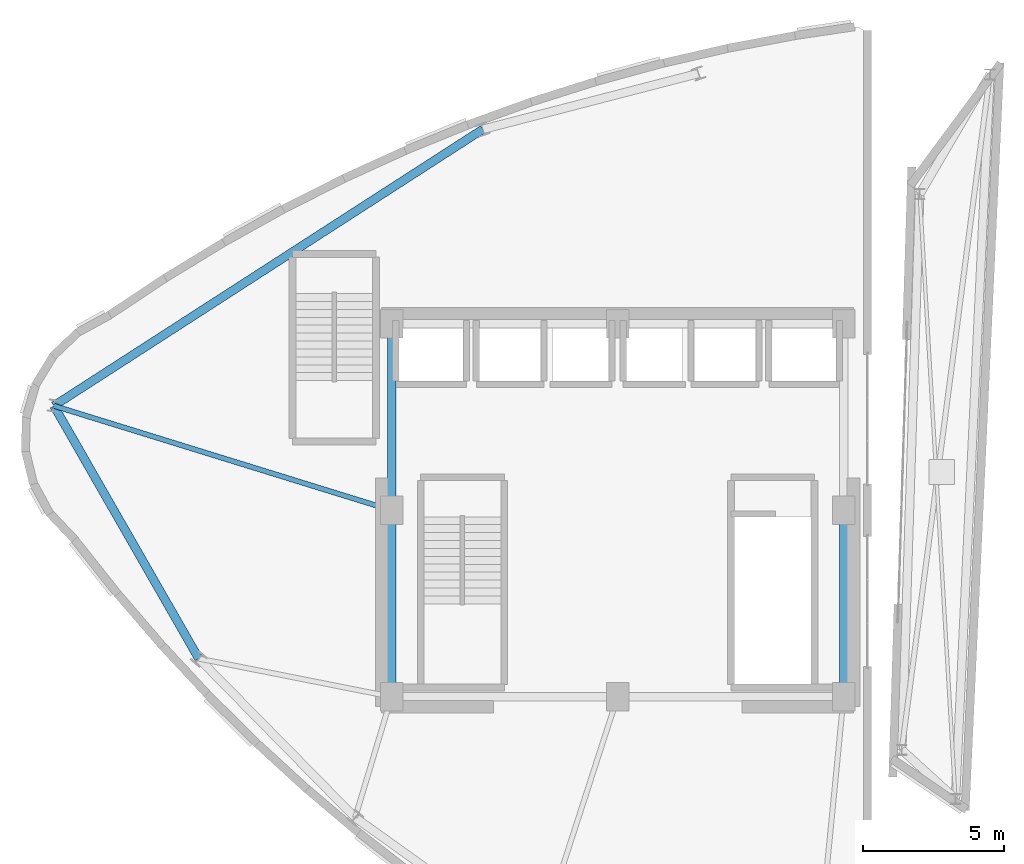
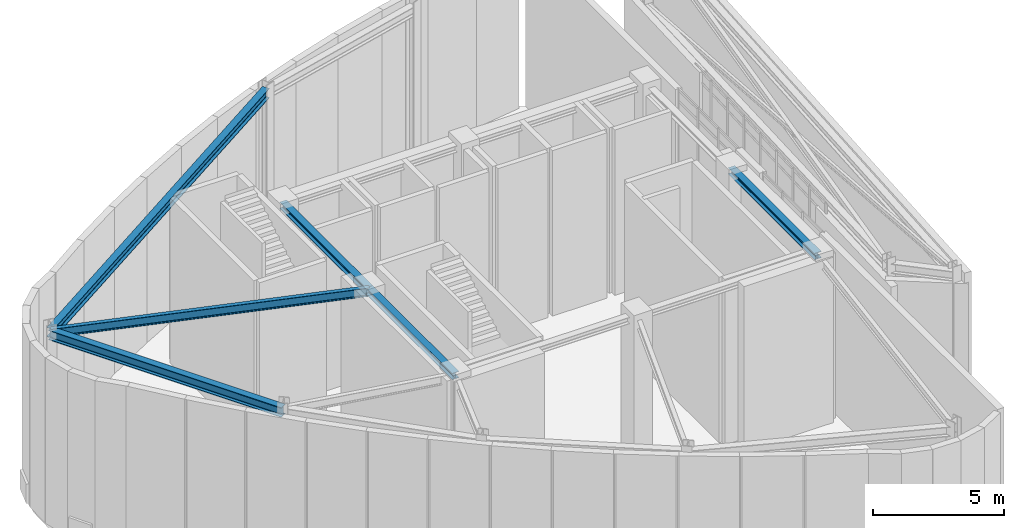
# One storey, part 3 of 12: 6 beams.
"""IFC4 building model written with IfcOpenShell, lengths in metres."""

from ifc_helpers import new_model, si_unit, direction, frame, origin, origin_2d, place, context, subcontext, project, spatial, i_section, extrude, material, material_profile, profile_set, type_object, element, save


model = new_model("IFC4")

# Units and contexts
model_context = context("Model", 3, precision=1e-05, world=origin(), true_north=direction((0.0, 1.0)))
body_context = subcontext(model_context, "Body", "Model", "MODEL_VIEW")
ifc_project = project(units=[si_unit("LENGTHUNIT", "METRE"), si_unit("AREAUNIT", "SQUARE_METRE"), si_unit("VOLUMEUNIT", "CUBIC_METRE"), si_unit("PLANEANGLEUNIT", "RADIAN"), si_unit("MASSUNIT", "GRAM", prefix="KILO")], contexts=[model_context])

# Site, building, storey
site_placement = place(None, origin())
site = spatial("IfcSite", under=ifc_project, at=site_placement, CompositionType="ELEMENT")
building_placement = place(site_placement, origin())
building = spatial("IfcBuilding", under=site, at=building_placement, Name="Ndelora Gate Hotel", CompositionType="ELEMENT")
storey_placement = place(building_placement, frame((0.0, 0.0, 303.60009765625)))
storey = spatial("IfcBuildingStorey", under=building, at=storey_placement, Name="RF1", CompositionType="ELEMENT", Elevation=303.60009765625)

# Beams
ifc_material = material(Name="Steel S355", Category="steel")
ifc_material_profile_1 = material_profile(ifc_material, i_section(OverallWidth=0.300048828125, OverallDepth=0.300048828125, WebThickness=0.010986328125, FlangeThickness=0.01904296875, FilletRadius=0.027099609375, at=origin_2d()), Name="HEB 300")
ifc_profile_set_1 = profile_set([ifc_material_profile_1], Name="Steel S355")
beam_type_1 = type_object("IfcBeamType", Name="BM-CORE-300", PredefinedType="BEAM", material=ifc_profile_set_1)
for number, where, z_axis, x_axis, name in (
    (1, (-8.0, -6.60009765625, 7.56982421875), (0.0, 1.0, 0.0), (-1.0, 0.0, 0.0), "RF1 Core Tie Girder CC1-CC8"),
    (2, (-8.0, 0.0, 7.56982421875), (0.0, 1.0, 0.0), (-1.0, 0.0, 0.0), "RF1 Core Tie Girder CC8-CC7"),
    (3, (8.0, -6.60009765625, 7.56982421875), (0.0, 1.0, 0.0), (-1.0, 0.0, 0.0), "RF1 Core Tie Girder CC3-CC4"),
):
    element("IfcBeam", number, at=place(storey_placement, frame(where, z_axis=z_axis, x_axis=x_axis)), inside=storey, type_object=beam_type_1, Name=name, PredefinedType="BEAM", context=body_context, shape_type="SweptSolid", body=[
        extrude(i_section(OverallWidth=0.300048828125, OverallDepth=0.300048828125, WebThickness=0.010986328125, FlangeThickness=0.01904296875, FilletRadius=0.027099609375, at=origin_2d()), origin(), (0.0, 0.0, 1.0), 6.60009765625),
    ])
ifc_material_profile_2 = material_profile(ifc_material, i_section(OverallWidth=0.179931640625, OverallDepth=0.39990234375, WebThickness=0.008544921875, FlangeThickness=0.013427734375, FilletRadius=0.02099609375, at=origin_2d()), Name="IPE 400")
ifc_profile_set_2 = profile_set([ifc_material_profile_2], Name="Steel S355")
beam_type_2 = type_object("IfcBeamType", Name="BM-RAD-400", PredefinedType="BEAM", material=ifc_profile_set_2)
beam_1_placement = place(storey_placement, frame((-8.0, 0.0, 7.52001953125), z_axis=(-0.955314894525, 0.295590007101, 0.0), x_axis=(-0.295590007101, -0.955314894525, 0.0)))
element("IfcBeam", 4, at=beam_1_placement, inside=storey, type_object=beam_type_2, Name="RF1 structural beam FB-5", PredefinedType="BEAM", context=body_context, shape_type="SweptSolid", body=[
    extrude(i_section(OverallWidth=0.179931640625, OverallDepth=0.39990234375, WebThickness=0.008544921875, FlangeThickness=0.013427734375, FilletRadius=0.02099609375, at=origin_2d()), origin(), (0.0, 0.0, 1.0), 12.509033203125),
])
ifc_material_profile_3 = material_profile(ifc_material, i_section(OverallWidth=0.300048828125, OverallDepth=0.449951171875, WebThickness=0.013916015625, FlangeThickness=0.02587890625, FilletRadius=0.027099609375, at=origin_2d()), Name="HEB 450")
ifc_profile_set_3 = profile_set([ifc_material_profile_3], Name="Steel S355")
beam_type_3 = type_object("IfcBeamType", Name="BM-RING-450", PredefinedType="SPANDREL", material=ifc_profile_set_3)
beam_2_placement = place(storey_placement, frame((-19.949951171875, 3.697509765625, 7.494873046875), z_axis=(0.497255333538, -0.867604249222, 0.0), x_axis=(0.867604249222, 0.497255333538, 0.0)))
element("IfcBeam", 5, at=beam_2_placement, inside=storey, type_object=beam_type_3, Name="RF1 structural beam RB-5", PredefinedType="SPANDREL", context=body_context, shape_type="SweptSolid", body=[
    extrude(i_section(OverallWidth=0.300048828125, OverallDepth=0.449951171875, WebThickness=0.013916015625, FlangeThickness=0.02587890625, FilletRadius=0.027099609375, at=origin_2d()), origin(), (0.0, 0.0, 1.0), 10.3115234375),
])
beam_3_placement = place(storey_placement, frame((-4.7744140625, 13.482666015625, 7.494873046875), z_axis=(-0.840435702398, -0.541911275151, 0.0), x_axis=(0.541911275151, -0.840435702398, 0.0)))
element("IfcBeam", 6, at=beam_3_placement, inside=storey, type_object=beam_type_3, Name="RF1 structural beam RB-5", PredefinedType="SPANDREL", context=body_context, shape_type="SweptSolid", body=[
    extrude(i_section(OverallWidth=0.300048828125, OverallDepth=0.449951171875, WebThickness=0.013916015625, FlangeThickness=0.02587890625, FilletRadius=0.027099609375, at=origin_2d()), origin(), (0.0, 0.0, 1.0), 18.056640625),
])

save(model, "model.ifc")
